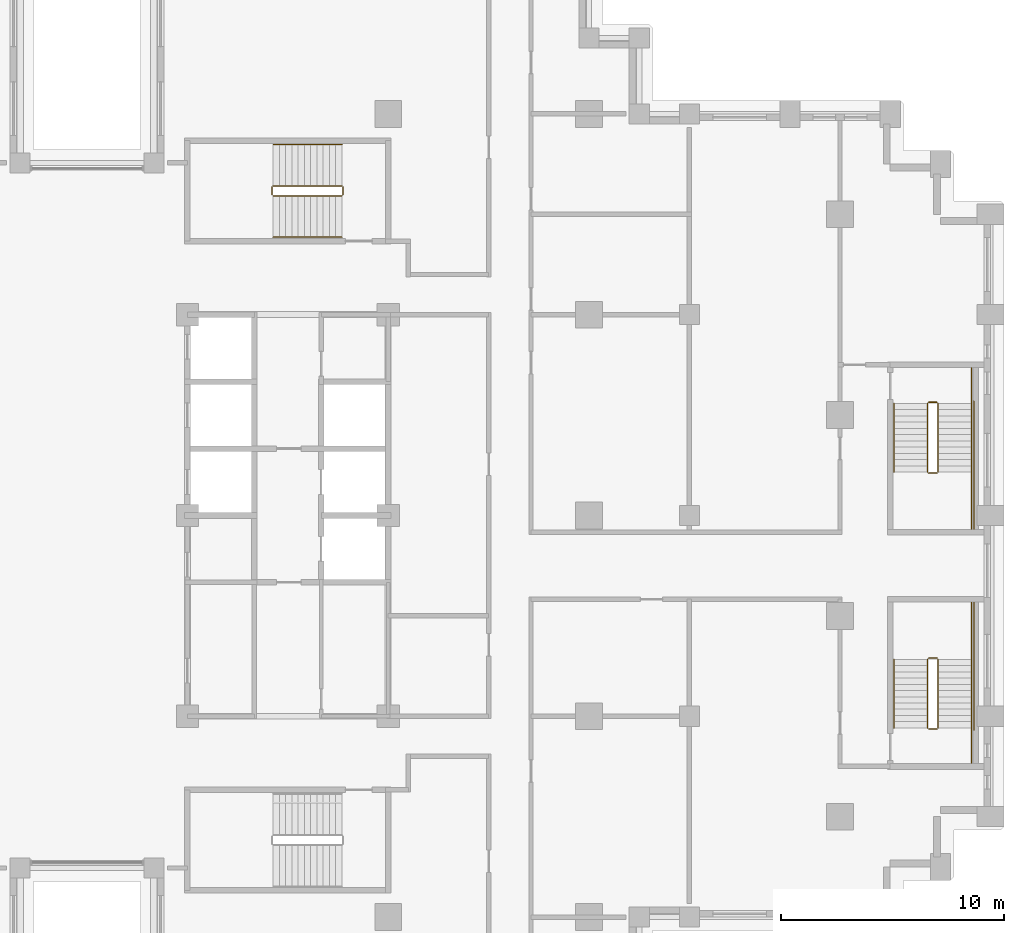
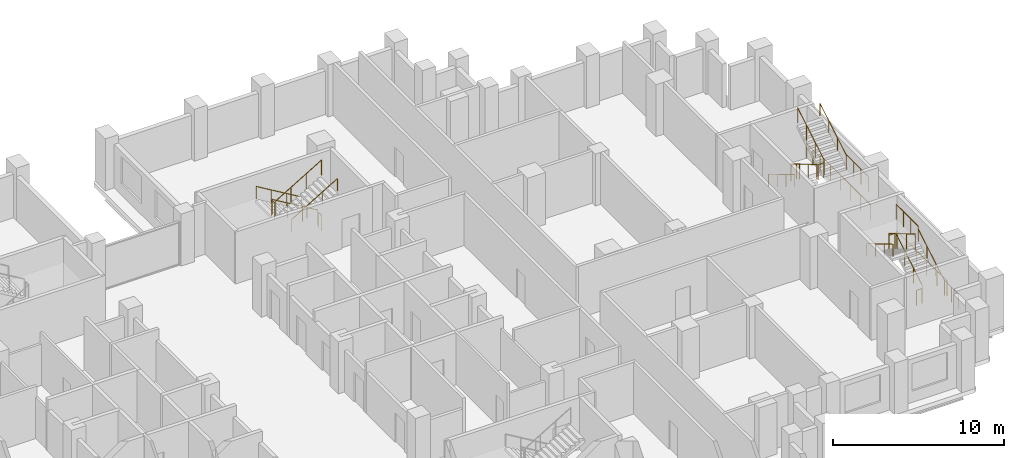
# One storey, part 15 of 15: 3 railings.
"""IFC4 building model written with IfcOpenShell, lengths in metres."""

from ifc_helpers import new_model, si_unit, direction, frame, origin, origin_2d, place, context, subcontext, project, spatial, circle, extrude, material, type_object, element, save


model = new_model("IFC4")

# Units and contexts
model_context = context("Model", 3, precision=1e-05, world=origin(), true_north=direction((0.0, 1.0)))
body_context = subcontext(model_context, "Body", "Model", "MODEL_VIEW")
ifc_project = project(units=[si_unit("LENGTHUNIT", "METRE"), si_unit("AREAUNIT", "SQUARE_METRE"), si_unit("VOLUMEUNIT", "CUBIC_METRE"), si_unit("PLANEANGLEUNIT", "RADIAN"), si_unit("MASSUNIT", "GRAM", prefix="KILO")], contexts=[model_context])

# Site, building, storey
site_placement = place(None, origin())
site = spatial("IfcSite", under=ifc_project, at=site_placement, CompositionType="ELEMENT")
building_placement = place(site_placement, origin())
building = spatial("IfcBuilding", under=site, at=building_placement, Name="Corbelhall Arena Tower", CompositionType="ELEMENT")
storey_placement = place(building_placement, frame((0.0, 0.0, 92.0)))
storey = spatial("IfcBuildingStorey", under=building, at=storey_placement, Name="L15", CompositionType="ELEMENT", Elevation=92.0)

# Railings
ifc_material = material(Name="Steel ASTM A500 Gr C", Category="steel")
railing_type = type_object("IfcRailingType", Name="IN-GD-1100", PredefinedType="GUARDRAIL", material=ifc_material)
railing_1_placement = place(storey_placement, frame((11.425048828125, 14.77490234375, 0.166748046875)))
element("IfcRailing", 1, at=railing_1_placement, inside=storey, type_object=railing_type, Name="L15 ST3 stair guards and handrails", PredefinedType="GUARDRAIL", context=body_context, shape_type="SweptSolid", body=[
    extrude(circle(Radius=0.02392578125, at=origin_2d()), frame((0.0, 0.0, 1.076171875), z_axis=(-0.859308565015, 0.0, 0.511457515432), x_axis=(0.0, -1.0, 0.0)), (0.0, 0.0, 1.0), 3.58447265625),
    extrude(circle(Radius=0.02392578125, at=origin_2d()), frame((-3.130126953125, -0.0498046875, 2.9091796875), z_axis=(0.0, -1.0, 0.0), x_axis=(1.0, 0.0, 0.0)), (0.0, 0.0, 1.0), 0.35009765625),
    extrude(circle(Radius=0.02392578125, at=origin_2d()), frame((-3.080078125, -0.449951171875, 3.076171875), z_axis=(0.859308565015, 0.0, 0.511457515432), x_axis=(0.0, 1.0, 0.0)), (0.0, 0.0, 1.0), 3.58447265625),
    extrude(circle(Radius=0.02392578125, at=origin_2d()), frame((0.050048828125, -0.0498046875, 0.9091796875), z_axis=(0.0, -1.0, 0.0), x_axis=(1.0, 0.0, 0.0)), (0.0, 0.0, 1.0), 0.35009765625),
    extrude(circle(Radius=0.02392578125, at=origin_2d()), frame((0.0, 1.85009765625, 0.8759765625), z_axis=(-0.859308565015, 0.0, 0.511457515432), x_axis=(0.0, -1.0, 0.0)), (0.0, 0.0, 1.0), 3.58447265625),
    extrude(circle(Radius=0.02392578125, at=origin_2d()), frame((-3.080078125, -2.2998046875, 2.8759765625), z_axis=(0.859308565015, 0.0, 0.511457515432), x_axis=(0.0, 1.0, 0.0)), (0.0, 0.0, 1.0), 3.58447265625),
    extrude(circle(Radius=0.02099609375, at=origin_2d()), origin(), (0.0, 0.0, 1.0), 1.052001953125),
    extrude(circle(Radius=0.02099609375, at=origin_2d()), frame((-1.026611328125, 0.0, 0.611083984375)), (0.0, 0.0, 1.0), 1.052001953125),
    extrude(circle(Radius=0.02099609375, at=origin_2d()), frame((-2.053466796875, 0.0, 1.22216796875)), (0.0, 0.0, 1.0), 1.052001953125),
    extrude(circle(Radius=0.02099609375, at=origin_2d()), frame((-3.080078125, 0.0, 1.833251953125)), (0.0, 0.0, 1.0), 1.052001953125),
    extrude(circle(Radius=0.02099609375, at=origin_2d()), frame((-3.130126953125, -0.0498046875, 1.833251953125)), (0.0, 0.0, 1.0), 1.052001953125),
    extrude(circle(Radius=0.02099609375, at=origin_2d()), frame((-3.130126953125, -0.39990234375, 1.833251953125)), (0.0, 0.0, 1.0), 1.052001953125),
    extrude(circle(Radius=0.02099609375, at=origin_2d()), frame((-3.080078125, -0.449951171875, 2.0)), (0.0, 0.0, 1.0), 1.052001953125),
    extrude(circle(Radius=0.02099609375, at=origin_2d()), frame((-2.053466796875, -0.449951171875, 2.611083984375)), (0.0, 0.0, 1.0), 1.052001953125),
    extrude(circle(Radius=0.02099609375, at=origin_2d()), frame((-1.026611328125, -0.449951171875, 3.22216796875)), (0.0, 0.0, 1.0), 1.052001953125),
    extrude(circle(Radius=0.02099609375, at=origin_2d()), frame((0.0, -0.449951171875, 3.833251953125)), (0.0, 0.0, 1.0), 1.052001953125),
    extrude(circle(Radius=0.02099609375, at=origin_2d()), frame((0.050048828125, -0.0498046875, -0.166748046875)), (0.0, 0.0, 1.0), 1.052001953125),
    extrude(circle(Radius=0.02099609375, at=origin_2d()), frame((0.050048828125, -0.39990234375, -0.166748046875)), (0.0, 0.0, 1.0), 1.052001953125),
    extrude(circle(Radius=0.02099609375, at=origin_2d()), frame((0.0, 1.85009765625, 0.0)), (0.0, 0.0, 1.0), 0.851806640625),
    extrude(circle(Radius=0.02099609375, at=origin_2d()), frame((-1.026611328125, 1.85009765625, 0.611083984375)), (0.0, 0.0, 1.0), 0.851806640625),
    extrude(circle(Radius=0.02099609375, at=origin_2d()), frame((-2.053466796875, 1.85009765625, 1.22216796875)), (0.0, 0.0, 1.0), 0.851806640625),
    extrude(circle(Radius=0.02099609375, at=origin_2d()), frame((-3.080078125, 1.85009765625, 1.833251953125)), (0.0, 0.0, 1.0), 0.851806640625),
    extrude(circle(Radius=0.02099609375, at=origin_2d()), frame((-3.080078125, -2.2998046875, 2.0)), (0.0, 0.0, 1.0), 0.851806640625),
    extrude(circle(Radius=0.02099609375, at=origin_2d()), frame((-2.053466796875, -2.2998046875, 2.611083984375)), (0.0, 0.0, 1.0), 0.851806640625),
    extrude(circle(Radius=0.02099609375, at=origin_2d()), frame((-1.026611328125, -2.2998046875, 3.22216796875)), (0.0, 0.0, 1.0), 0.851806640625),
    extrude(circle(Radius=0.02099609375, at=origin_2d()), frame((0.0, -2.2998046875, 3.833251953125)), (0.0, 0.0, 1.0), 0.851806640625),
])
railing_2_placement = place(storey_placement, frame((38.14990234375, -9.52490234375, 0.166748046875)))
element("IfcRailing", 2, at=railing_2_placement, inside=storey, type_object=railing_type, Name="L15 SD1 stair guards and handrails", PredefinedType="GUARDRAIL", context=body_context, shape_type="SweptSolid", body=[
    extrude(circle(Radius=0.02392578125, at=origin_2d()), frame((0.0, 0.0, 1.076171875), z_axis=(0.0, 0.859290745958, 0.51148745235), x_axis=(-1.0, 0.0, 0.0)), (0.0, 0.0, 1.0), 3.584228515625),
    extrude(circle(Radius=0.02392578125, at=origin_2d()), frame((-0.0498046875, 3.1298828125, 2.9091796875), z_axis=(-1.0, 0.0, 0.0), x_axis=(0.0, -1.0, 0.0)), (0.0, 0.0, 1.0), 0.375),
    extrude(circle(Radius=0.02392578125, at=origin_2d()), frame((1.5, 3.079833984375, 2.9091796875), z_axis=(0.0, 1.0, 0.0), x_axis=(-1.0, 0.0, 0.0)), (0.0, 0.0, 1.0), 2.570068359375),
    extrude(circle(Radius=0.02392578125, at=origin_2d()), frame((-0.474853515625, 3.079833984375, 3.076171875), z_axis=(0.0, -0.859290745958, 0.51148745235), x_axis=(1.0, 0.0, 0.0)), (0.0, 0.0, 1.0), 3.584228515625),
    extrude(circle(Radius=0.02392578125, at=origin_2d()), frame((-0.0498046875, -0.050048828125, 0.9091796875), z_axis=(-1.0, 0.0, 0.0), x_axis=(0.0, -1.0, 0.0)), (0.0, 0.0, 1.0), 0.375),
    extrude(circle(Radius=0.02392578125, at=origin_2d()), frame((1.5, -1.60009765625, 0.9091796875), z_axis=(0.0, 1.0, 0.0), x_axis=(-1.0, 0.0, 0.0)), (0.0, 0.0, 1.0), 1.60009765625),
    extrude(circle(Radius=0.02392578125, at=origin_2d()), frame((1.60009765625, -0.10009765625, 0.9091796875), z_axis=(0.0, 1.0, 0.0), x_axis=(-1.0, 0.0, 0.0)), (0.0, 0.0, 1.0), 5.85009765625),
    extrude(circle(Radius=0.02392578125, at=origin_2d()), frame((1.5, 0.0, 0.8759765625), z_axis=(0.0, 0.859290745958, 0.51148745235), x_axis=(-1.0, 0.0, 0.0)), (0.0, 0.0, 1.0), 3.584228515625),
    extrude(circle(Radius=0.02392578125, at=origin_2d()), frame((-1.974853515625, 3.079833984375, 2.8759765625), z_axis=(0.0, -0.859290745958, 0.51148745235), x_axis=(1.0, 0.0, 0.0)), (0.0, 0.0, 1.0), 3.584228515625),
    extrude(circle(Radius=0.02099609375, at=origin_2d()), origin(), (0.0, 0.0, 1.0), 1.052001953125),
    extrude(circle(Radius=0.02099609375, at=origin_2d()), frame((0.0, 1.026611328125, 0.611083984375)), (0.0, 0.0, 1.0), 1.052001953125),
    extrude(circle(Radius=0.02099609375, at=origin_2d()), frame((0.0, 2.05322265625, 1.22216796875)), (0.0, 0.0, 1.0), 1.052001953125),
    extrude(circle(Radius=0.02099609375, at=origin_2d()), frame((0.0, 3.079833984375, 1.833251953125)), (0.0, 0.0, 1.0), 1.052001953125),
    extrude(circle(Radius=0.02099609375, at=origin_2d()), frame((-0.0498046875, 3.1298828125, 1.833251953125)), (0.0, 0.0, 1.0), 1.052001953125),
    extrude(circle(Radius=0.02099609375, at=origin_2d()), frame((-0.4248046875, 3.1298828125, 1.833251953125)), (0.0, 0.0, 1.0), 1.052001953125),
    extrude(circle(Radius=0.02099609375, at=origin_2d()), frame((1.5, 3.079833984375, 1.833251953125)), (0.0, 0.0, 1.0), 1.052001953125),
    extrude(circle(Radius=0.02099609375, at=origin_2d()), frame((1.5, 3.9365234375, 1.833251953125)), (0.0, 0.0, 1.0), 1.052001953125),
    extrude(circle(Radius=0.02099609375, at=origin_2d()), frame((1.5, 4.793212890625, 1.833251953125)), (0.0, 0.0, 1.0), 1.052001953125),
    extrude(circle(Radius=0.02099609375, at=origin_2d()), frame((1.5, 5.64990234375, 1.833251953125)), (0.0, 0.0, 1.0), 1.052001953125),
    extrude(circle(Radius=0.02099609375, at=origin_2d()), frame((-0.474853515625, 3.079833984375, 2.0)), (0.0, 0.0, 1.0), 1.052001953125),
    extrude(circle(Radius=0.02099609375, at=origin_2d()), frame((-0.474853515625, 2.05322265625, 2.611083984375)), (0.0, 0.0, 1.0), 1.052001953125),
    extrude(circle(Radius=0.02099609375, at=origin_2d()), frame((-0.474853515625, 1.026611328125, 3.22216796875)), (0.0, 0.0, 1.0), 1.052001953125),
    extrude(circle(Radius=0.02099609375, at=origin_2d()), frame((-0.474853515625, 0.0, 3.833251953125)), (0.0, 0.0, 1.0), 1.052001953125),
    extrude(circle(Radius=0.02099609375, at=origin_2d()), frame((-0.0498046875, -0.050048828125, -0.166748046875)), (0.0, 0.0, 1.0), 1.052001953125),
    extrude(circle(Radius=0.02099609375, at=origin_2d()), frame((-0.4248046875, -0.050048828125, -0.166748046875)), (0.0, 0.0, 1.0), 1.052001953125),
    extrude(circle(Radius=0.02099609375, at=origin_2d()), frame((1.5, -1.60009765625, -0.166748046875)), (0.0, 0.0, 1.0), 1.052001953125),
    extrude(circle(Radius=0.02099609375, at=origin_2d()), frame((1.5, -0.800048828125, -0.166748046875)), (0.0, 0.0, 1.0), 1.052001953125),
    extrude(circle(Radius=0.02099609375, at=origin_2d()), frame((1.5, 0.0, -0.166748046875)), (0.0, 0.0, 1.0), 1.052001953125),
    extrude(circle(Radius=0.02099609375, at=origin_2d()), frame((1.60009765625, -0.10009765625, -0.166748046875)), (0.0, 0.0, 1.0), 1.052001953125),
    extrude(circle(Radius=0.02099609375, at=origin_2d()), frame((1.60009765625, 1.06982421875, -0.166748046875)), (0.0, 0.0, 1.0), 1.052001953125),
    extrude(circle(Radius=0.02099609375, at=origin_2d()), frame((1.60009765625, 2.239990234375, -0.166748046875)), (0.0, 0.0, 1.0), 1.052001953125),
    extrude(circle(Radius=0.02099609375, at=origin_2d()), frame((1.60009765625, 3.409912109375, -0.166748046875)), (0.0, 0.0, 1.0), 1.052001953125),
    extrude(circle(Radius=0.02099609375, at=origin_2d()), frame((1.60009765625, 4.580078125, -0.166748046875)), (0.0, 0.0, 1.0), 1.052001953125),
    extrude(circle(Radius=0.02099609375, at=origin_2d()), frame((1.60009765625, 5.75, -0.166748046875)), (0.0, 0.0, 1.0), 1.052001953125),
    extrude(circle(Radius=0.02099609375, at=origin_2d()), frame((1.5, 0.0, 0.0)), (0.0, 0.0, 1.0), 0.851806640625),
    extrude(circle(Radius=0.02099609375, at=origin_2d()), frame((1.5, 1.026611328125, 0.611083984375)), (0.0, 0.0, 1.0), 0.851806640625),
    extrude(circle(Radius=0.02099609375, at=origin_2d()), frame((1.5, 2.05322265625, 1.22216796875)), (0.0, 0.0, 1.0), 0.851806640625),
    extrude(circle(Radius=0.02099609375, at=origin_2d()), frame((-1.974853515625, 3.079833984375, 2.0)), (0.0, 0.0, 1.0), 0.851806640625),
    extrude(circle(Radius=0.02099609375, at=origin_2d()), frame((-1.974853515625, 2.05322265625, 2.611083984375)), (0.0, 0.0, 1.0), 0.851806640625),
    extrude(circle(Radius=0.02099609375, at=origin_2d()), frame((-1.974853515625, 1.026611328125, 3.22216796875)), (0.0, 0.0, 1.0), 0.851806640625),
    extrude(circle(Radius=0.02099609375, at=origin_2d()), frame((-1.974853515625, 0.0, 3.833251953125)), (0.0, 0.0, 1.0), 0.851806640625),
])
railing_3_placement = place(storey_placement, frame((37.675048828125, 5.02490234375, 0.166748046875)))
element("IfcRailing", 3, at=railing_3_placement, inside=storey, type_object=railing_type, Name="L15 SD2 stair guards and handrails", PredefinedType="GUARDRAIL", context=body_context, shape_type="SweptSolid", body=[
    extrude(circle(Radius=0.02392578125, at=origin_2d()), frame((0.0, 0.0, 1.076171875), z_axis=(0.0, -0.859290745958, 0.51148745235), x_axis=(1.0, 0.0, 0.0)), (0.0, 0.0, 1.0), 3.584228515625),
    extrude(circle(Radius=0.02392578125, at=origin_2d()), frame((0.050048828125, -3.1298828125, 2.9091796875), z_axis=(1.0, 0.0, 0.0), x_axis=(0.0, 1.0, 0.0)), (0.0, 0.0, 1.0), 0.375),
    extrude(circle(Radius=0.02392578125, at=origin_2d()), frame((1.974853515625, -3.079833984375, 2.9091796875), z_axis=(0.0, -1.0, 0.0), x_axis=(1.0, 0.0, 0.0)), (0.0, 0.0, 1.0), 2.570068359375),
    extrude(circle(Radius=0.02392578125, at=origin_2d()), frame((0.474853515625, -3.079833984375, 3.076171875), z_axis=(0.0, 0.859290745958, 0.51148745235), x_axis=(-1.0, 0.0, 0.0)), (0.0, 0.0, 1.0), 3.584228515625),
    extrude(circle(Radius=0.02392578125, at=origin_2d()), frame((0.050048828125, 0.050048828125, 0.9091796875), z_axis=(1.0, 0.0, 0.0), x_axis=(0.0, 1.0, 0.0)), (0.0, 0.0, 1.0), 0.375),
    extrude(circle(Radius=0.02392578125, at=origin_2d()), frame((1.974853515625, 1.60009765625, 0.9091796875), z_axis=(0.0, -1.0, 0.0), x_axis=(1.0, 0.0, 0.0)), (0.0, 0.0, 1.0), 1.60009765625),
    extrude(circle(Radius=0.02392578125, at=origin_2d()), frame((2.074951171875, 0.10009765625, 0.9091796875), z_axis=(0.0, -1.0, 0.0), x_axis=(1.0, 0.0, 0.0)), (0.0, 0.0, 1.0), 5.85009765625),
    extrude(circle(Radius=0.02392578125, at=origin_2d()), frame((-1.5, 0.0, 0.8759765625), z_axis=(0.0, -0.859290745958, 0.51148745235), x_axis=(1.0, 0.0, 0.0)), (0.0, 0.0, 1.0), 3.584228515625),
    extrude(circle(Radius=0.02392578125, at=origin_2d()), frame((1.974853515625, -3.079833984375, 2.8759765625), z_axis=(0.0, 0.859290745958, 0.51148745235), x_axis=(-1.0, 0.0, 0.0)), (0.0, 0.0, 1.0), 3.584228515625),
    extrude(circle(Radius=0.02099609375, at=origin_2d()), origin(), (0.0, 0.0, 1.0), 1.052001953125),
    extrude(circle(Radius=0.02099609375, at=origin_2d()), frame((0.0, -1.026611328125, 0.611083984375)), (0.0, 0.0, 1.0), 1.052001953125),
    extrude(circle(Radius=0.02099609375, at=origin_2d()), frame((0.0, -2.05322265625, 1.22216796875)), (0.0, 0.0, 1.0), 1.052001953125),
    extrude(circle(Radius=0.02099609375, at=origin_2d()), frame((0.0, -3.079833984375, 1.833251953125)), (0.0, 0.0, 1.0), 1.052001953125),
    extrude(circle(Radius=0.02099609375, at=origin_2d()), frame((0.050048828125, -3.1298828125, 1.833251953125)), (0.0, 0.0, 1.0), 1.052001953125),
    extrude(circle(Radius=0.02099609375, at=origin_2d()), frame((0.425048828125, -3.1298828125, 1.833251953125)), (0.0, 0.0, 1.0), 1.052001953125),
    extrude(circle(Radius=0.02099609375, at=origin_2d()), frame((1.974853515625, -3.079833984375, 1.833251953125)), (0.0, 0.0, 1.0), 1.052001953125),
    extrude(circle(Radius=0.02099609375, at=origin_2d()), frame((1.974853515625, -3.9365234375, 1.833251953125)), (0.0, 0.0, 1.0), 1.052001953125),
    extrude(circle(Radius=0.02099609375, at=origin_2d()), frame((1.974853515625, -4.793212890625, 1.833251953125)), (0.0, 0.0, 1.0), 1.052001953125),
    extrude(circle(Radius=0.02099609375, at=origin_2d()), frame((1.974853515625, -5.64990234375, 1.833251953125)), (0.0, 0.0, 1.0), 1.052001953125),
    extrude(circle(Radius=0.02099609375, at=origin_2d()), frame((0.474853515625, -3.079833984375, 2.0)), (0.0, 0.0, 1.0), 1.052001953125),
    extrude(circle(Radius=0.02099609375, at=origin_2d()), frame((0.474853515625, -2.05322265625, 2.611083984375)), (0.0, 0.0, 1.0), 1.052001953125),
    extrude(circle(Radius=0.02099609375, at=origin_2d()), frame((0.474853515625, -1.026611328125, 3.22216796875)), (0.0, 0.0, 1.0), 1.052001953125),
    extrude(circle(Radius=0.02099609375, at=origin_2d()), frame((0.474853515625, 0.0, 3.833251953125)), (0.0, 0.0, 1.0), 1.052001953125),
    extrude(circle(Radius=0.02099609375, at=origin_2d()), frame((0.050048828125, 0.050048828125, -0.166748046875)), (0.0, 0.0, 1.0), 1.052001953125),
    extrude(circle(Radius=0.02099609375, at=origin_2d()), frame((0.425048828125, 0.050048828125, -0.166748046875)), (0.0, 0.0, 1.0), 1.052001953125),
    extrude(circle(Radius=0.02099609375, at=origin_2d()), frame((1.974853515625, 1.60009765625, -0.166748046875)), (0.0, 0.0, 1.0), 1.052001953125),
    extrude(circle(Radius=0.02099609375, at=origin_2d()), frame((1.974853515625, 0.800048828125, -0.166748046875)), (0.0, 0.0, 1.0), 1.052001953125),
    extrude(circle(Radius=0.02099609375, at=origin_2d()), frame((1.974853515625, 0.0, -0.166748046875)), (0.0, 0.0, 1.0), 1.052001953125),
    extrude(circle(Radius=0.02099609375, at=origin_2d()), frame((2.074951171875, 0.10009765625, -0.166748046875)), (0.0, 0.0, 1.0), 1.052001953125),
    extrude(circle(Radius=0.02099609375, at=origin_2d()), frame((2.074951171875, -1.06982421875, -0.166748046875)), (0.0, 0.0, 1.0), 1.052001953125),
    extrude(circle(Radius=0.02099609375, at=origin_2d()), frame((2.074951171875, -2.239990234375, -0.166748046875)), (0.0, 0.0, 1.0), 1.052001953125),
    extrude(circle(Radius=0.02099609375, at=origin_2d()), frame((2.074951171875, -3.409912109375, -0.166748046875)), (0.0, 0.0, 1.0), 1.052001953125),
    extrude(circle(Radius=0.02099609375, at=origin_2d()), frame((2.074951171875, -4.580078125, -0.166748046875)), (0.0, 0.0, 1.0), 1.052001953125),
    extrude(circle(Radius=0.02099609375, at=origin_2d()), frame((2.074951171875, -5.75, -0.166748046875)), (0.0, 0.0, 1.0), 1.052001953125),
    extrude(circle(Radius=0.02099609375, at=origin_2d()), frame((-1.5, 0.0, 0.0)), (0.0, 0.0, 1.0), 0.851806640625),
    extrude(circle(Radius=0.02099609375, at=origin_2d()), frame((-1.5, -1.026611328125, 0.611083984375)), (0.0, 0.0, 1.0), 0.851806640625),
    extrude(circle(Radius=0.02099609375, at=origin_2d()), frame((-1.5, -2.05322265625, 1.22216796875)), (0.0, 0.0, 1.0), 0.851806640625),
    extrude(circle(Radius=0.02099609375, at=origin_2d()), frame((-1.5, -3.079833984375, 1.833251953125)), (0.0, 0.0, 1.0), 0.851806640625),
    extrude(circle(Radius=0.02099609375, at=origin_2d()), frame((1.974853515625, -3.079833984375, 2.0)), (0.0, 0.0, 1.0), 0.851806640625),
    extrude(circle(Radius=0.02099609375, at=origin_2d()), frame((1.974853515625, -2.05322265625, 2.611083984375)), (0.0, 0.0, 1.0), 0.851806640625),
    extrude(circle(Radius=0.02099609375, at=origin_2d()), frame((1.974853515625, -1.026611328125, 3.22216796875)), (0.0, 0.0, 1.0), 0.851806640625),
    extrude(circle(Radius=0.02099609375, at=origin_2d()), frame((1.974853515625, 0.0, 3.833251953125)), (0.0, 0.0, 1.0), 0.851806640625),
])

save(model, "model.ifc")
